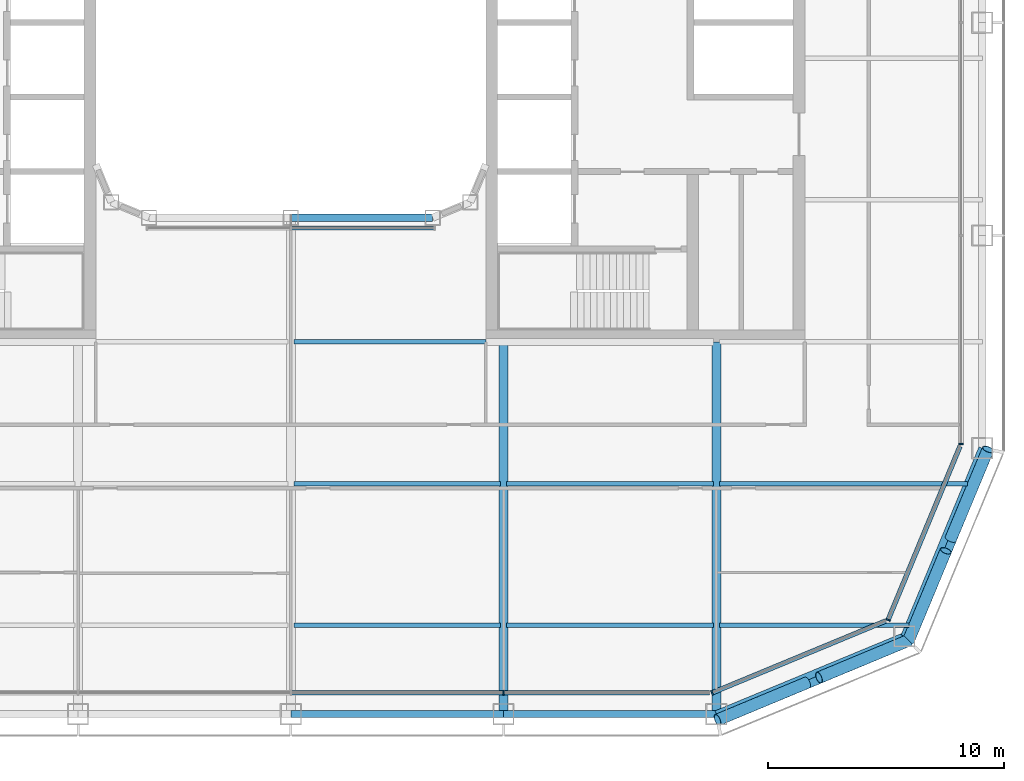
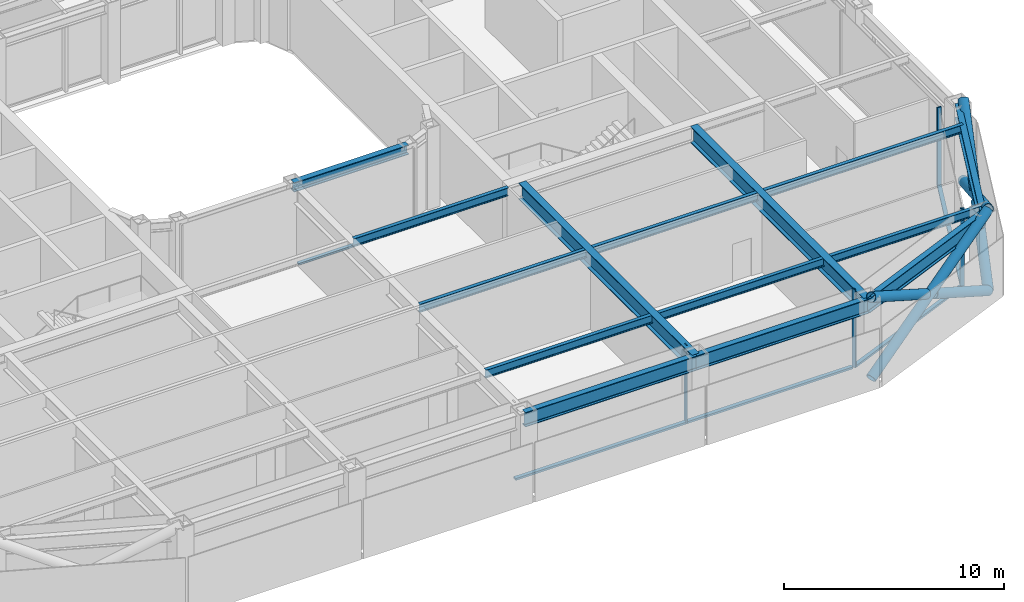
# One storey, part 4 of 23: 15 members, 14 beams, 5 elements without a shape of their own.
"""IFC4 building model written with IfcOpenShell, lengths in metres."""

from ifc_helpers import new_model, si_unit, direction, frame, origin, origin_2d, place, context, subcontext, project, spatial, rectangle, hollow_circle, i_section, extrude, material, layer, layer_set, material_profile, profile_set, type_object, element, aggregate, save


model = new_model("IFC4")

# Units and contexts
model_context = context("Model", 3, precision=1e-05, world=origin(), true_north=direction((0.0, 1.0)))
body_context = subcontext(model_context, "Body", "Model", "MODEL_VIEW")
ifc_project = project(units=[si_unit("LENGTHUNIT", "METRE"), si_unit("AREAUNIT", "SQUARE_METRE"), si_unit("VOLUMEUNIT", "CUBIC_METRE"), si_unit("PLANEANGLEUNIT", "RADIAN"), si_unit("MASSUNIT", "GRAM", prefix="KILO")], contexts=[model_context])

# Site, building, storey
site_placement = place(None, origin())
site = spatial("IfcSite", under=ifc_project, at=site_placement, CompositionType="ELEMENT")
building_placement = place(site_placement, origin())
building = spatial("IfcBuilding", under=site, at=building_placement, Name="Siwar Civic Tower", CompositionType="ELEMENT")
storey_placement = place(building_placement, frame((0.0, 0.0, 154.199951171875)))
storey = spatial("IfcBuildingStorey", under=building, at=storey_placement, Name="L33", CompositionType="ELEMENT", Elevation=154.199951171875)

# Curtain wall, member
ifc_material_1 = material(Name="Aluminium and glass", Category="aluminium")
ifc_layer_1 = layer(ifc_material_1, 0.199951171875)
ifc_layer_set_1 = layer_set([ifc_layer_1], Name="Aluminium and glass")
curtain_wall_type_1 = type_object("IfcCurtainWallType", Name="ENV-CW-B", PredefinedType="NOTDEFINED", material=ifc_layer_set_1)
curtain_wall_1_placement = place(storey_placement, origin())
curtain_wall_1 = element("IfcCurtainWall", 1, at=curtain_wall_1_placement, inside=storey, type_object=curtain_wall_type_1, Name="Curtain wall B S", PredefinedType="NOTDEFINED")
ifc_material_2 = material(Name="Aluminium 6063-T6", Category="aluminium")
ifc_material_profile_1 = material_profile(ifc_material_2, rectangle(XDim=0.199951171875, YDim=0.06494140625, at=origin_2d()), Name="AL 200x65")
ifc_profile_set_1 = profile_set([ifc_material_profile_1], Name="Aluminium 6063-T6")
member_type_1 = type_object("IfcMemberType", Name="ENV-MULLION-B", PredefinedType="MULLION", material=ifc_profile_set_1)
member_1_placement = place(storey_placement, frame((9.0, -28.35009765625, 0.0), z_axis=(0.0, 0.0, 1.0), x_axis=(0.0, 1.0, 0.0)))
member_1 = element("IfcMember", 2, at=member_1_placement, type_object=member_type_1, Name="Mullion B S 4", PredefinedType="MULLION", context=body_context, shape_type="SweptSolid", body=[
    extrude(rectangle(XDim=0.199951171875, YDim=0.06494140625, at=origin_2d()), origin(), (0.0, 0.0, 1.0), 4.35009765625),
])

ifc_material_3 = material(Name="Aluminium clad insulated panel", Category="aluminium")
ifc_layer_2 = layer(ifc_material_3, 0.199951171875)
ifc_layer_set_2 = layer_set([ifc_layer_2], Name="Aluminium clad insulated panel")
curtain_wall_type_2 = type_object("IfcCurtainWallType", Name="ENV-CW-BX", PredefinedType="NOTDEFINED", material=ifc_layer_set_2)
curtain_wall_2_placement = place(storey_placement, origin())
curtain_wall_2 = element("IfcCurtainWall", 3, at=curtain_wall_2_placement, inside=storey, type_object=curtain_wall_type_2, Name="Curtain wall B SE1", PredefinedType="NOTDEFINED")
member_2_placement = place(storey_placement, frame((17.821044921875, -28.35009765625, 0.0), z_axis=(0.0, 0.0, 1.0), x_axis=(-0.382683432365, 0.923879532511, 0.0)))
member_2 = element("IfcMember", 4, at=member_2_placement, type_object=member_type_1, Name="Mullion B SE1 1", PredefinedType="MULLION", context=body_context, shape_type="SweptSolid", body=[
    extrude(rectangle(XDim=0.199951171875, YDim=0.06494140625, at=origin_2d()), origin(), (0.0, 0.0, 1.0), 4.35009765625),
])

curtain_wall_3_placement = place(storey_placement, origin())
curtain_wall_3 = element("IfcCurtainWall", 5, at=curtain_wall_3_placement, inside=storey, type_object=curtain_wall_type_2, Name="Curtain wall B SE2", PredefinedType="NOTDEFINED")
member_3_placement = place(storey_placement, frame((25.26611328125, -25.26611328125, 0.0), z_axis=(0.0, 0.0, 1.0), x_axis=(-0.923879532511, 0.382683432365, 0.0)))
member_3 = element("IfcMember", 6, at=member_3_placement, type_object=member_type_1, Name="Mullion B SE2 1", PredefinedType="MULLION", context=body_context, shape_type="SweptSolid", body=[
    extrude(rectangle(XDim=0.199951171875, YDim=0.06494140625, at=origin_2d()), origin(), (0.0, 0.0, 1.0), 4.35009765625),
])

curtain_wall_4_placement = place(storey_placement, origin())
curtain_wall_4 = element("IfcCurtainWall", 7, at=curtain_wall_4_placement, inside=storey, type_object=curtain_wall_type_1, Name="Curtain wall B E", PredefinedType="NOTDEFINED")
member_4_placement = place(storey_placement, frame((28.35009765625, -17.821044921875, 0.0), z_axis=(0.0, 0.0, 1.0), x_axis=(-1.0, 0.0, 0.0)))
member_4 = element("IfcMember", 8, at=member_4_placement, type_object=member_type_1, Name="Mullion B E 1", PredefinedType="MULLION", context=body_context, shape_type="SweptSolid", body=[
    extrude(rectangle(XDim=0.199951171875, YDim=0.06494140625, at=origin_2d()), origin(), (0.0, 0.0, 1.0), 4.35009765625),
])
aggregate(curtain_wall_4, [member_4])

# Member
ifc_material_4 = material(Name="Aluminium 6063-T6", Category="aluminium")
ifc_material_profile_2 = material_profile(ifc_material_4, rectangle(XDim=0.199951171875, YDim=0.110107421875, at=origin_2d()), Name="AL 200x110")
ifc_profile_set_2 = profile_set([ifc_material_profile_2], Name="Aluminium 6063-T6")
member_type_2 = type_object("IfcMemberType", Name="ENV-TRANSOM-B", PredefinedType="USERDEFINED", material=ifc_profile_set_2)
member_5_placement = place(storey_placement, frame((0.032470703125, -28.35009765625, 0.054931640625), z_axis=(1.0, 0.0, 0.0), x_axis=(0.0, 1.0, 0.0)))
member_5 = element("IfcMember", 9, at=member_5_placement, type_object=member_type_2, Name="Transom B S 3", ObjectType="TRANSOM", PredefinedType="USERDEFINED", context=body_context, shape_type="SweptSolid", body=[
    extrude(rectangle(XDim=0.199951171875, YDim=0.110107421875, at=origin_2d()), origin(), (0.0, 0.0, 1.0), 8.93505859375),
])

member_6_placement = place(storey_placement, frame((9.032470703125, -28.35009765625, 0.054931640625), z_axis=(1.0, 0.0, 0.0), x_axis=(0.0, 1.0, 0.0)))
member_6 = element("IfcMember", 10, at=member_6_placement, type_object=member_type_2, Name="Transom B S 4", ObjectType="TRANSOM", PredefinedType="USERDEFINED", context=body_context, shape_type="SweptSolid", body=[
    extrude(rectangle(XDim=0.199951171875, YDim=0.110107421875, at=origin_2d()), origin(), (0.0, 0.0, 1.0), 8.6748046875),
])

aggregate(curtain_wall_1, [member_1, member_5, member_6])

member_7_placement = place(storey_placement, frame((17.85107421875, -28.337646484375, 0.054931640625), z_axis=(0.92387279587, 0.382699695651, 0.0), x_axis=(-0.382699695651, 0.92387279587, 0.0)))
member_7 = element("IfcMember", 11, at=member_7_placement, type_object=member_type_2, Name="Transom B SE1 1", ObjectType="TRANSOM", PredefinedType="USERDEFINED", context=body_context, shape_type="SweptSolid", body=[
    extrude(rectangle(XDim=0.199951171875, YDim=0.110107421875, at=origin_2d()), origin(), (0.0, 0.0, 1.0), 7.912353515625),
])

aggregate(curtain_wall_2, [member_2, member_7])

member_8_placement = place(storey_placement, frame((25.278564453125, -25.236083984375, 0.054931640625), z_axis=(0.382673358825, 0.923883705044, 0.0), x_axis=(-0.923883705044, 0.382673358825, 0.0)))
member_8 = element("IfcMember", 12, at=member_8_placement, type_object=member_type_2, Name="Transom B SE2 1", ObjectType="TRANSOM", PredefinedType="USERDEFINED", context=body_context, shape_type="SweptSolid", body=[
    extrude(rectangle(XDim=0.199951171875, YDim=0.110107421875, at=origin_2d()), origin(), (0.0, 0.0, 1.0), 7.912353515625),
])

aggregate(curtain_wall_3, [member_3, member_8])

# Curtain wall, member
ifc_material_5 = material(Name="Aluminium and glass", Category="aluminium")
ifc_layer_3 = layer(ifc_material_5, 0.179931640625)
ifc_layer_set_3 = layer_set([ifc_layer_3], Name="Aluminium and glass")
curtain_wall_type_3 = type_object("IfcCurtainWallType", Name="ENV-CW-W", PredefinedType="NOTDEFINED", material=ifc_layer_set_3)
curtain_wall_5_placement = place(storey_placement, origin())
curtain_wall_5 = element("IfcCurtainWall", 13, at=curtain_wall_5_placement, inside=storey, type_object=curtain_wall_type_3, Name="Curtain wall W WS", PredefinedType="NOTDEFINED")
ifc_material_6 = material(Name="Aluminium 6063-T6", Category="aluminium")
ifc_material_profile_3 = material_profile(ifc_material_6, rectangle(XDim=0.179931640625, YDim=0.10009765625, at=origin_2d()), Name="AL 180x100")
ifc_profile_set_3 = profile_set([ifc_material_profile_3], Name="Aluminium 6063-T6")
member_type_3 = type_object("IfcMemberType", Name="ENV-TRANSOM-W", PredefinedType="USERDEFINED", material=ifc_profile_set_3)
member_9_placement = place(storey_placement, frame((0.030029296875, -8.68505859375, 0.050048828125), z_axis=(1.0, 0.0, 0.0), x_axis=(0.0, 1.0, 0.0)))
member_9 = element("IfcMember", 14, at=member_9_placement, type_object=member_type_3, Name="Transom W WS 2", ObjectType="TRANSOM", PredefinedType="USERDEFINED", context=body_context, shape_type="SweptSolid", body=[
    extrude(rectangle(XDim=0.179931640625, YDim=0.10009765625, at=origin_2d()), origin(), (0.0, 0.0, 1.0), 6.026611328125),
])
aggregate(curtain_wall_5, [member_9])

# Members
ifc_material_7 = material(Name="Steel S355", Category="steel")
ifc_material_profile_4 = material_profile(ifc_material_7, hollow_circle(Radius=0.25390625, WallThickness=0.02490234375, at=origin_2d()), Name="CHS508x25")
ifc_profile_set_4 = profile_set([ifc_material_profile_4], Name="Steel S355")
member_type_4 = type_object("IfcMemberType", Name="STR-BR-CHS508x25", PredefinedType="BRACE", material=ifc_profile_set_4)
member_10_placement = place(storey_placement, frame((29.4951171875, -18.048828125, 0.0), z_axis=(-0.341671493852, -0.821142553604, 0.457149315816), x_axis=(0.923264922524, -0.384163874976, 0.0)))
element("IfcMember", 15, at=member_10_placement, inside=storey, type_object=member_type_4, Name="L33/brc/BSE1-12-0-1", PredefinedType="BRACE", context=body_context, shape_type="SweptSolid", body=[
    extrude(hollow_circle(Radius=0.25390625, WallThickness=0.02490234375, at=origin_2d()), origin(), (0.0, 0.0, 1.0), 9.843505859375),
])
member_11_placement = place(storey_placement, frame((26.1318359375, -26.1318359375, 0.0), z_axis=(0.341662474736, 0.821143275065, 0.457154760636), x_axis=(-0.923268638995, 0.384154943021, 0.0)))
element("IfcMember", 16, at=member_11_placement, inside=storey, type_object=member_type_4, Name="L33/brc/BSE1-12-0-2", PredefinedType="BRACE", context=body_context, shape_type="SweptSolid", body=[
    extrude(hollow_circle(Radius=0.25390625, WallThickness=0.02490234375, at=origin_2d()), origin(), (0.0, 0.0, 1.0), 4.61474609375),
])
member_12_placement = place(storey_placement, frame((27.91845703125, -21.837890625, 2.390625), z_axis=(0.34168558233, 0.821145902409, 0.457132770413), x_axis=(-0.923259859753, 0.384176042158, 0.0)))
element("IfcMember", 17, at=member_12_placement, inside=storey, type_object=member_type_4, Name="L33/brc/BSE1-12-0-3", PredefinedType="BRACE", context=body_context, shape_type="SweptSolid", body=[
    extrude(hollow_circle(Radius=0.25390625, WallThickness=0.02490234375, at=origin_2d()), origin(), (0.0, 0.0, 1.0), 4.6142578125),
])
member_13_placement = place(storey_placement, frame((18.048828125, -29.4951171875, 0.0), z_axis=(0.821142553604, 0.341671493852, 0.457149315816), x_axis=(-0.384163874976, 0.923264922524, 0.0)))
element("IfcMember", 18, at=member_13_placement, inside=storey, type_object=member_type_4, Name="L33/brc/BSE1-12-0-0", PredefinedType="BRACE", context=body_context, shape_type="SweptSolid", body=[
    extrude(hollow_circle(Radius=0.25390625, WallThickness=0.02490234375, at=origin_2d()), origin(), (0.0, 0.0, 1.0), 9.843505859375),
])
member_14_placement = place(storey_placement, frame((26.1318359375, -26.1318359375, 0.0), z_axis=(-0.821143275065, -0.341662474736, 0.457154760636), x_axis=(0.384154943021, -0.923268638995, 0.0)))
element("IfcMember", 19, at=member_14_placement, inside=storey, type_object=member_type_4, Name="L33/brc/BSE1-12-0-4", PredefinedType="BRACE", context=body_context, shape_type="SweptSolid", body=[
    extrude(hollow_circle(Radius=0.25390625, WallThickness=0.02490234375, at=origin_2d()), origin(), (0.0, 0.0, 1.0), 4.61474609375),
])
member_15_placement = place(storey_placement, frame((21.837890625, -27.91845703125, 2.390625), z_axis=(-0.821145902409, -0.34168558233, 0.457132770413), x_axis=(0.384176042158, -0.923259859753, 0.0)))
element("IfcMember", 20, at=member_15_placement, inside=storey, type_object=member_type_4, Name="L33/brc/BSE1-12-0-5", PredefinedType="BRACE", context=body_context, shape_type="SweptSolid", body=[
    extrude(hollow_circle(Radius=0.25390625, WallThickness=0.02490234375, at=origin_2d()), origin(), (0.0, 0.0, 1.0), 4.6142578125),
])

# Beams
ifc_material_8 = material(Name="Steel S355", Category="steel")
ifc_material_profile_5 = material_profile(ifc_material_8, i_section(OverallWidth=0.18994140625, OverallDepth=0.449951171875, WebThickness=0.009521484375, FlangeThickness=0.0146484375, FilletRadius=0.02099609375, at=origin_2d()), Name="IPE450")
ifc_profile_set_5 = profile_set([ifc_material_profile_5], Name="Steel S355")
beam_type_1 = type_object("IfcBeamType", Name="STR-FB-IPE450", PredefinedType="JOIST", material=ifc_profile_set_5)
for number, where, z_axis, x_axis, name in (
    (21, (0.1298828125, -25.5, 4.125), (1.0, 0.0, 0.0), (0.0, 1.0, 0.0), "L33/bm/F004"),
    (22, (9.1298828125, -25.5, 4.125), (1.0, 0.0, 0.0), (0.0, 1.0, 0.0), "L33/bm/F005"),
):
    element("IfcBeam", number, at=place(storey_placement, frame(where, z_axis=z_axis, x_axis=x_axis)), inside=storey, type_object=beam_type_1, Name=name, PredefinedType="JOIST", context=body_context, shape_type="SweptSolid", body=[
        extrude(i_section(OverallWidth=0.18994140625, OverallDepth=0.449951171875, WebThickness=0.009521484375, FlangeThickness=0.0146484375, FilletRadius=0.02099609375, at=origin_2d()), origin(), (0.0, 0.0, 1.0), 8.740234375),
    ])
beam_1_placement = place(storey_placement, frame((18.1298828125, -25.5, 4.125), z_axis=(1.0, 0.0, 0.0), x_axis=(0.0, 1.0, 0.0)))
element("IfcBeam", 23, at=beam_1_placement, inside=storey, type_object=beam_type_1, Name="L33/bm/F006", PredefinedType="JOIST", context=body_context, shape_type="SweptSolid", body=[
    extrude(i_section(OverallWidth=0.18994140625, OverallDepth=0.449951171875, WebThickness=0.009521484375, FlangeThickness=0.0146484375, FilletRadius=0.02099609375, at=origin_2d()), origin(), (0.0, 0.0, 1.0), 8.013427734375),
])
for number, where, z_axis, x_axis, name in (
    (24, (0.1298828125, -19.5, 4.125), (1.0, 0.0, 0.0), (0.0, 1.0, 0.0), "L33/bm/F010"),
    (25, (9.1298828125, -19.5, 4.125), (1.0, 0.0, 0.0), (0.0, 1.0, 0.0), "L33/bm/F011"),
):
    element("IfcBeam", number, at=place(storey_placement, frame(where, z_axis=z_axis, x_axis=x_axis)), inside=storey, type_object=beam_type_1, Name=name, PredefinedType="JOIST", context=body_context, shape_type="SweptSolid", body=[
        extrude(i_section(OverallWidth=0.18994140625, OverallDepth=0.449951171875, WebThickness=0.009521484375, FlangeThickness=0.0146484375, FilletRadius=0.02099609375, at=origin_2d()), origin(), (0.0, 0.0, 1.0), 8.740234375),
    ])
beam_2_placement = place(storey_placement, frame((18.1298828125, -19.5, 4.125), z_axis=(1.0, 0.0, 0.0), x_axis=(0.0, 1.0, 0.0)))
element("IfcBeam", 26, at=beam_2_placement, inside=storey, type_object=beam_type_1, Name="L33/bm/F012", PredefinedType="JOIST", context=body_context, shape_type="SweptSolid", body=[
    extrude(i_section(OverallWidth=0.18994140625, OverallDepth=0.449951171875, WebThickness=0.009521484375, FlangeThickness=0.0146484375, FilletRadius=0.02099609375, at=origin_2d()), origin(), (0.0, 0.0, 1.0), 10.498779296875),
])
beam_3_placement = place(storey_placement, frame((0.1298828125, -13.5, 4.125), z_axis=(1.0, 0.0, 0.0), x_axis=(0.0, 1.0, 0.0)))
element("IfcBeam", 27, at=beam_3_placement, inside=storey, type_object=beam_type_1, Name="L33/bm/F017", PredefinedType="JOIST", context=body_context, shape_type="SweptSolid", body=[
    extrude(i_section(OverallWidth=0.18994140625, OverallDepth=0.449951171875, WebThickness=0.009521484375, FlangeThickness=0.0146484375, FilletRadius=0.02099609375, at=origin_2d()), origin(), (0.0, 0.0, 1.0), 8.1201171875),
])
ifc_material_9 = material(Name="Steel S355", Category="steel")
ifc_material_profile_6 = material_profile(ifc_material_9, i_section(OverallWidth=0.3798828125, OverallDepth=0.89990234375, WebThickness=0.01611328125, FlangeThickness=0.035888671875, at=origin_2d()), Name="PG900x380x16x36")
ifc_profile_set_6 = profile_set([ifc_material_profile_6], Name="Steel S355")
beam_type_2 = type_object("IfcBeamType", Name="STR-PG-PG900x380x16x36", PredefinedType="BEAM", material=ifc_profile_set_6)
for number, where, z_axis, x_axis, name in (
    (28, (9.0, -29.25, 3.900146484375), (0.0, 1.0, 0.0), (-1.0, 0.0, 0.0), "L33/bm/G07"),
    (29, (18.0, -29.25, 3.900146484375), (0.0, 1.0, 0.0), (-1.0, 0.0, 0.0), "L33/bm/G09"),
):
    element("IfcBeam", number, at=place(storey_placement, frame(where, z_axis=z_axis, x_axis=x_axis)), inside=storey, type_object=beam_type_2, Name=name, PredefinedType="BEAM", context=body_context, shape_type="SweptSolid", body=[
        extrude(i_section(OverallWidth=0.3798828125, OverallDepth=0.89990234375, WebThickness=0.01611328125, FlangeThickness=0.035888671875, at=origin_2d()), origin(), (0.0, 0.0, 1.0), 15.75),
    ])
ifc_material_10 = material(Name="Steel S355", Category="steel")
ifc_material_profile_7 = material_profile(ifc_material_10, i_section(OverallWidth=0.305908203125, OverallDepth=0.52392578125, WebThickness=0.02099609375, FlangeThickness=0.0400390625, FilletRadius=0.027099609375, at=origin_2d()), Name="HEM500")
ifc_profile_set_7 = profile_set([ifc_material_profile_7], Name="Steel S355")
beam_type_3 = type_object("IfcBeamType", Name="STR-RB-HEM500", PredefinedType="BEAM", material=ifc_profile_set_7)
beam_4_placement = place(storey_placement, frame((0.0, -8.25, 4.088134765625), z_axis=(1.0, 0.0, 0.0), x_axis=(0.0, 1.0, 0.0)))
element("IfcBeam", 30, at=beam_4_placement, inside=storey, type_object=beam_type_3, Name="L33/bm/RS2", PredefinedType="BEAM", context=body_context, shape_type="SweptSolid", body=[
    extrude(i_section(OverallWidth=0.305908203125, OverallDepth=0.52392578125, WebThickness=0.02099609375, FlangeThickness=0.0400390625, FilletRadius=0.027099609375, at=origin_2d()), origin(), (0.0, 0.0, 1.0), 6.0),
])
ifc_material_11 = material(Name="Steel S355", Category="steel")
ifc_material_profile_8 = material_profile(ifc_material_11, i_section(OverallWidth=0.300048828125, OverallDepth=0.800048828125, WebThickness=0.017578125, FlangeThickness=0.032958984375, FilletRadius=0.030029296875, at=origin_2d()), Name="HEB800")
ifc_profile_set_8 = profile_set([ifc_material_profile_8], Name="Steel S355")
beam_type_4 = type_object("IfcBeamType", Name="STR-SB-HEB800", PredefinedType="BEAM", material=ifc_profile_set_8)
for number, where, z_axis, x_axis, name in (
    (31, (0.0, -29.25, 3.949951171875), (1.0, 0.0, 0.0), (0.0, 1.0, 0.0), "L33/bm/SS-2"),
    (32, (9.0, -29.25, 3.949951171875), (1.0, 0.0, 0.0), (0.0, 1.0, 0.0), "L33/bm/SS-3"),
):
    element("IfcBeam", number, at=place(storey_placement, frame(where, z_axis=z_axis, x_axis=x_axis)), inside=storey, type_object=beam_type_4, Name=name, PredefinedType="BEAM", context=body_context, shape_type="SweptSolid", body=[
        extrude(i_section(OverallWidth=0.300048828125, OverallDepth=0.800048828125, WebThickness=0.017578125, FlangeThickness=0.032958984375, FilletRadius=0.030029296875, at=origin_2d()), origin(), (0.0, 0.0, 1.0), 9.0),
    ])
for number, where, z_axis, x_axis, name in (
    (33, (18.0, -29.25, 3.949951171875), (0.923872720536, 0.382699877515, 0.0), (-0.382699877515, 0.923872720536, 0.0), "L33/bm/SSE1-0"),
    (34, (25.954833984375, -25.954833984375, 3.949951171875), (0.382699877515, 0.923872720536, 0.0), (-0.923872720536, 0.382699877515, 0.0), "L33/bm/SSE2-0"),
):
    element("IfcBeam", number, at=place(storey_placement, frame(where, z_axis=z_axis, x_axis=x_axis)), inside=storey, type_object=beam_type_4, Name=name, PredefinedType="BEAM", context=body_context, shape_type="SweptSolid", body=[
        extrude(i_section(OverallWidth=0.300048828125, OverallDepth=0.800048828125, WebThickness=0.017578125, FlangeThickness=0.032958984375, FilletRadius=0.030029296875, at=origin_2d()), origin(), (0.0, 0.0, 1.0), 8.6103515625),
    ])

save(model, "model.ifc")
